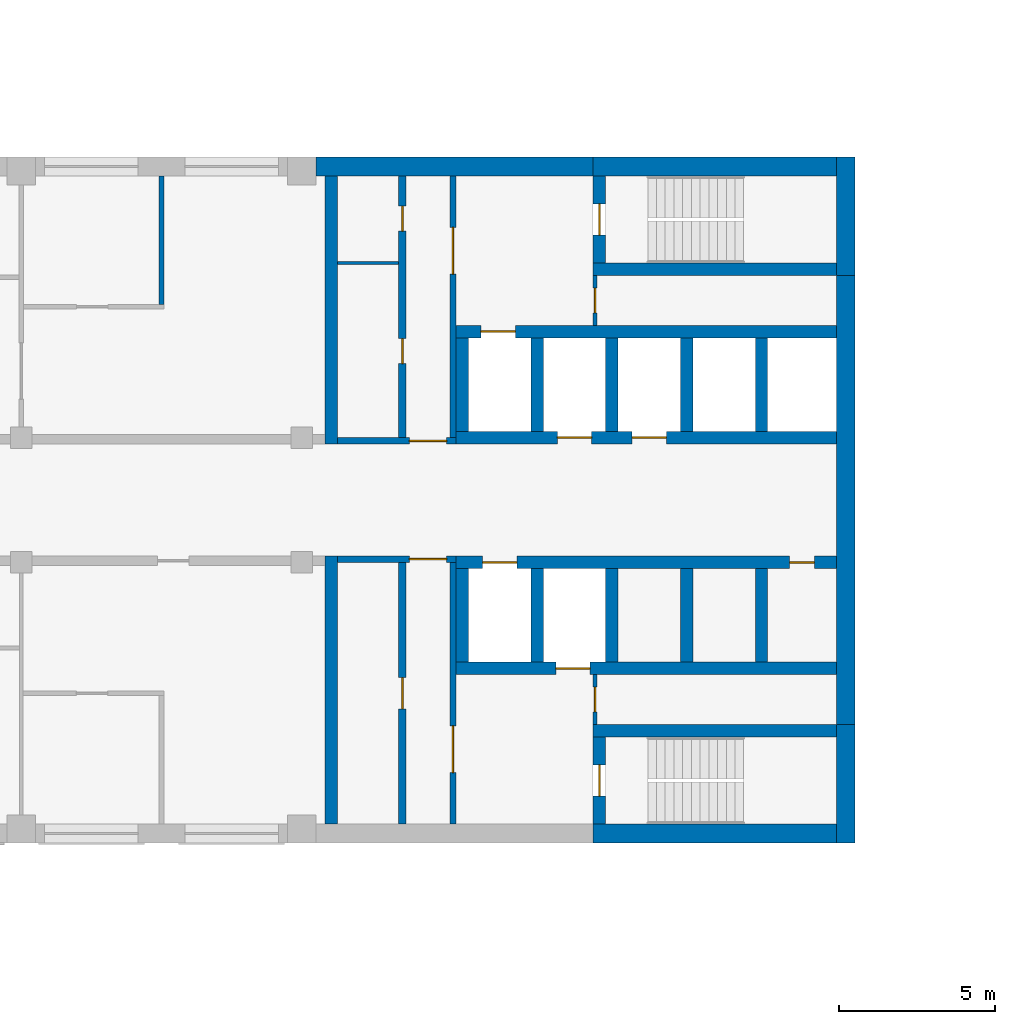
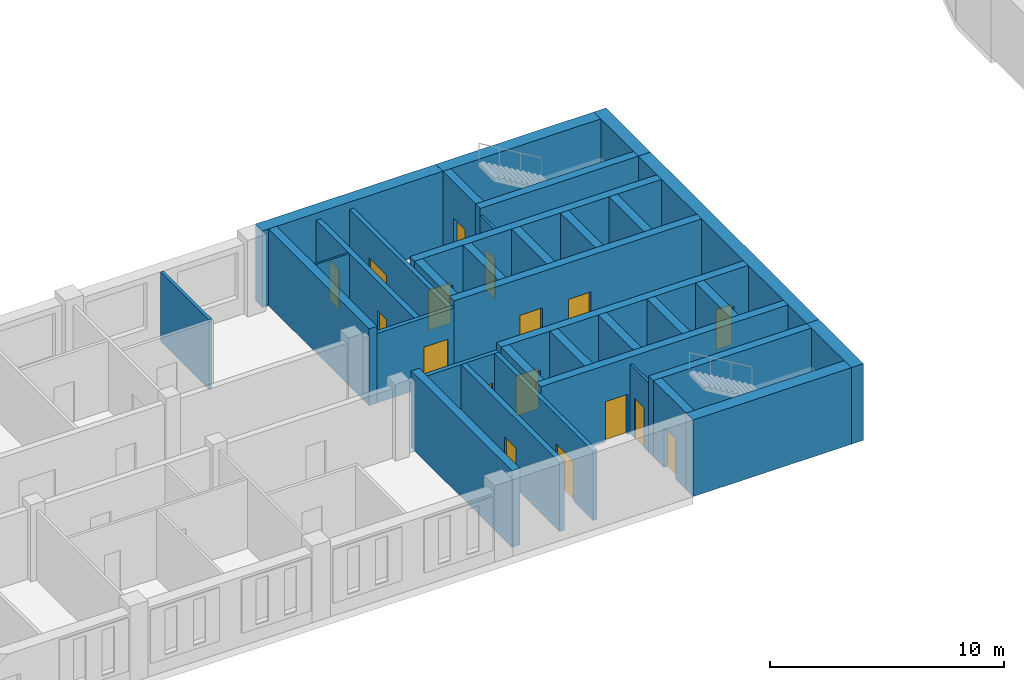
# One storey, part 6 of 16: 36 walls, 17 doors, 17 openings.
"""IFC4 building model written with IfcOpenShell, lengths in metres."""

from ifc_helpers import new_model, si_unit, direction, frame, frame_2d, origin, place, context, subcontext, project, spatial, rectangle, extrude, material, layer, layer_set, type_object, element, fill, save


model = new_model("IFC4")

# Units and contexts
model_context = context("Model", 3, precision=1e-05, world=origin(), true_north=direction((0.0, 1.0)))
body_context = subcontext(model_context, "Body", "Model", "MODEL_VIEW")
ifc_project = project(units=[si_unit("LENGTHUNIT", "METRE"), si_unit("AREAUNIT", "SQUARE_METRE"), si_unit("VOLUMEUNIT", "CUBIC_METRE"), si_unit("PLANEANGLEUNIT", "RADIAN"), si_unit("MASSUNIT", "GRAM", prefix="KILO")], contexts=[model_context])

# Site, building, storey
site_placement = place(None, origin())
site = spatial("IfcSite", under=ifc_project, at=site_placement, CompositionType="ELEMENT")
building_placement = place(site_placement, origin())
building = spatial("IfcBuilding", under=site, at=building_placement, Name="Skarvind Civic Tower", CompositionType="ELEMENT")
storey_placement = place(building_placement, frame((0.0, 0.0, 43.5)))
storey = spatial("IfcBuildingStorey", under=building, at=storey_placement, Name="L09", CompositionType="ELEMENT", Elevation=43.5)

# Wall, opening, door
ifc_material_1 = material(Name="Fire-rated masonry partition", Category="masonry")
ifc_layer_1 = layer(ifc_material_1, 0.199951171875)
ifc_layer_set_1 = layer_set([ifc_layer_1], Name="Core enclosure wall 200")
wall_type_1 = type_object("IfcWallType", Name="Core enclosure wall 200", PredefinedType="PARTITIONING", material=ifc_layer_set_1)
wall_1_placement = place(storey_placement, frame((95.199951171875, 126.10009765625, 0.0), z_axis=(0.0, 0.0, 1.0), x_axis=(-1.0, 0.0, 0.0)))
wall_1 = element("IfcWall", 1, at=wall_1_placement, inside=storey, type_object=wall_type_1, Name="Core wall C1", PredefinedType="PARTITIONING", context=body_context, shape_type="SweptSolid", body=[
    extrude(rectangle(XDim=3.800048828125, YDim=0.199951171875, at=frame_2d((1.89990234375, 0.0))), origin(), (0.0, 0.0, 1.0), 3.625),
])
opening_1_placement = place(wall_1_placement, frame((0.300048828125, 0.0, 0.0)))
opening_1 = element("IfcOpeningElement", 2, at=opening_1_placement, cuts=wall_1, Name="Opening D-L09-C1-05", PredefinedType="OPENING", context=body_context, shape_type="SweptSolid", body=[
    extrude(rectangle(XDim=1.199951171875, YDim=2.10009765625, at=frame_2d((0.60009765625, 1.050048828125))), frame((0.0, 0.10986328125, 0.0), z_axis=(0.0, -1.0, 0.0), x_axis=(1.0, 0.0, 0.0)), (0.0, 0.0, 1.0), 0.219970703125),
])
ifc_material_2 = material(Name="Fire-rated steel door", Category="steel")
door_type_1 = type_object("IfcDoorType", Name="Core lobby door 1200", OperationType="NOTDEFINED", PredefinedType="DOOR", material=ifc_material_2)
door_1_placement = place(opening_1_placement, origin())
door_1 = element("IfcDoor", 3, at=door_1_placement, inside=storey, type_object=door_type_1, Name="Fire door", OperationType="DOUBLE_DOOR_SINGLE_SWING", OverallHeight=2.10009765625, OverallWidth=1.199951171875, PredefinedType="DOOR", context=body_context, shape_type="SweptSolid", body=[
    extrude(rectangle(XDim=1.199951171875, YDim=2.10009765625, at=frame_2d((0.60009765625, 1.050048828125))), frame((0.0, 0.02490234375, 0.0), z_axis=(0.0, -1.0, 0.0), x_axis=(1.0, 0.0, 0.0)), (0.0, 0.0, 1.0), 0.050048828125),
])
fill(opening_1, door_1)

wall_2_placement = place(storey_placement, frame((95.10009765625, 117.60009765625, 0.0), z_axis=(0.0, 0.0, 1.0), x_axis=(0.0, 1.0, 0.0)))
wall_2 = element("IfcWall", 4, at=wall_2_placement, inside=storey, type_object=wall_type_1, Name="Core wall C1", PredefinedType="PARTITIONING", context=body_context, shape_type="SweptSolid", body=[
    extrude(rectangle(XDim=8.39990234375, YDim=0.199951171875, at=frame_2d((4.199951171875, 0.0))), origin(), (0.0, 0.0, 1.0), 3.625),
])
opening_2_placement = place(wall_2_placement, frame((1.64990234375, 0.0, 0.0)))
opening_2 = element("IfcOpeningElement", 5, at=opening_2_placement, cuts=wall_2, Name="Opening D-L09-C1-06", PredefinedType="OPENING", context=body_context, shape_type="SweptSolid", body=[
    extrude(rectangle(XDim=1.5, YDim=2.10009765625, at=frame_2d((0.75, 1.050048828125))), frame((0.0, 0.10986328125, 0.0), z_axis=(0.0, -1.0, 0.0), x_axis=(1.0, 0.0, 0.0)), (0.0, 0.0, 1.0), 0.219970703125),
])
door_type_2 = type_object("IfcDoorType", Name="Fire door 1500", OperationType="NOTDEFINED", PredefinedType="DOOR", material=ifc_material_2)
door_2_placement = place(opening_2_placement, origin())
door_2 = element("IfcDoor", 6, at=door_2_placement, inside=storey, type_object=door_type_2, Name="Fire door", OperationType="DOUBLE_DOOR_SINGLE_SWING", OverallHeight=2.10009765625, OverallWidth=1.5, PredefinedType="DOOR", context=body_context, shape_type="SweptSolid", body=[
    extrude(rectangle(XDim=1.5, YDim=2.10009765625, at=frame_2d((0.75, 1.050048828125))), frame((0.0, 0.02490234375, 0.0), z_axis=(0.0, -1.0, 0.0), x_axis=(1.0, 0.0, 0.0)), (0.0, 0.0, 1.0), 0.050048828125),
])
fill(opening_2, door_2)

wall_3_placement = place(storey_placement, frame((91.39990234375, 129.89990234375, 0.0), z_axis=(0.0, 0.0, 1.0), x_axis=(1.0, 0.0, 0.0)))
wall_3 = element("IfcWall", 7, at=wall_3_placement, inside=storey, type_object=wall_type_1, Name="Core wall C1", PredefinedType="PARTITIONING", context=body_context, shape_type="SweptSolid", body=[
    extrude(rectangle(XDim=3.800048828125, YDim=0.199951171875, at=frame_2d((1.89990234375, 0.0))), origin(), (0.0, 0.0, 1.0), 3.625),
])
opening_3_placement = place(wall_3_placement, frame((2.300048828125, 0.0, 0.0)))
opening_3 = element("IfcOpeningElement", 8, at=opening_3_placement, cuts=wall_3, Name="Opening D-L09-C1-10", PredefinedType="OPENING", context=body_context, shape_type="SweptSolid", body=[
    extrude(rectangle(XDim=1.199951171875, YDim=2.10009765625, at=frame_2d((0.60009765625, 1.050048828125))), frame((0.0, 0.10986328125, 0.0), z_axis=(0.0, -1.0, 0.0), x_axis=(1.0, 0.0, 0.0)), (0.0, 0.0, 1.0), 0.219970703125),
])
door_3_placement = place(opening_3_placement, origin())
door_3 = element("IfcDoor", 9, at=door_3_placement, inside=storey, type_object=door_type_1, Name="Fire door", OperationType="DOUBLE_DOOR_SINGLE_SWING", OverallHeight=2.10009765625, OverallWidth=1.199951171875, PredefinedType="DOOR", context=body_context, shape_type="SweptSolid", body=[
    extrude(rectangle(XDim=1.199951171875, YDim=2.10009765625, at=frame_2d((0.60009765625, 1.050048828125))), frame((0.0, 0.02490234375, 0.0), z_axis=(0.0, -1.0, 0.0), x_axis=(1.0, 0.0, 0.0)), (0.0, 0.0, 1.0), 0.050048828125),
])
fill(opening_3, door_3)

wall_4_placement = place(storey_placement, frame((95.10009765625, 130.0, 0.0), z_axis=(0.0, 0.0, 1.0), x_axis=(0.0, 1.0, 0.0)))
wall_4 = element("IfcWall", 10, at=wall_4_placement, inside=storey, type_object=wall_type_1, Name="Core wall C1", PredefinedType="PARTITIONING", context=body_context, shape_type="SweptSolid", body=[
    extrude(rectangle(XDim=8.39990234375, YDim=0.199951171875, at=frame_2d((4.199951171875, 0.0))), origin(), (0.0, 0.0, 1.0), 3.625),
])
opening_4_placement = place(wall_4_placement, frame((5.25, 0.0, 0.0)))
opening_4 = element("IfcOpeningElement", 11, at=opening_4_placement, cuts=wall_4, Name="Opening D-L09-C1-11", PredefinedType="OPENING", context=body_context, shape_type="SweptSolid", body=[
    extrude(rectangle(XDim=1.5, YDim=2.10009765625, at=frame_2d((0.75, 1.050048828125))), frame((0.0, 0.10986328125, 0.0), z_axis=(0.0, -1.0, 0.0), x_axis=(1.0, 0.0, 0.0)), (0.0, 0.0, 1.0), 0.219970703125),
])
door_4_placement = place(opening_4_placement, origin())
door_4 = element("IfcDoor", 12, at=door_4_placement, inside=storey, type_object=door_type_2, Name="Fire door", OperationType="DOUBLE_DOOR_SINGLE_SWING", OverallHeight=2.10009765625, OverallWidth=1.5, PredefinedType="DOOR", context=body_context, shape_type="SweptSolid", body=[
    extrude(rectangle(XDim=1.5, YDim=2.10009765625, at=frame_2d((0.75, 1.050048828125))), frame((0.0, 0.02490234375, 0.0), z_axis=(0.0, -1.0, 0.0), x_axis=(1.0, 0.0, 0.0)), (0.0, 0.0, 1.0), 0.050048828125),
])
fill(opening_4, door_4)

# Walls
ifc_material_3 = material(Name="Fire-rated plasterboard partition")
ifc_layer_2 = layer(ifc_material_3, 0.10009765625)
ifc_layer_set_2 = layer_set([ifc_layer_2], Name="Core partition wall 100")
wall_type_2 = type_object("IfcWallType", Name="Core partition wall 100", PredefinedType="PARTITIONING", material=ifc_layer_set_2)
wall_5_placement = place(storey_placement, frame((91.39990234375, 135.60009765625, 0.0), z_axis=(0.0, 0.0, 1.0), x_axis=(1.0, 0.0, 0.0)))
element("IfcWall", 13, at=wall_5_placement, inside=storey, type_object=wall_type_2, Name="Core wall C1", PredefinedType="PARTITIONING", context=body_context, shape_type="SweptSolid", body=[
    extrude(rectangle(XDim=1.9501953125, YDim=0.10009765625, at=frame_2d((0.97509765625, 0.0))), origin(), (0.0, 0.0, 1.0), 3.625),
])
ifc_material_4 = material(Name="Concrete C80", Category="concrete")
ifc_layer_3 = layer(ifc_material_4, 0.39990234375)
ifc_layer_set_3 = layer_set([ifc_layer_3], Name="Core wall 400 C80")
wall_type_3 = type_object("IfcWallType", Name="Core wall 400 C80", PredefinedType="SHEAR", material=ifc_layer_set_3)
wall_6_placement = place(storey_placement, frame((107.39990234375, 135.39990234375, 0.0), z_axis=(0.0, 0.0, 1.0), x_axis=(-1.0, 0.0, 0.0)))
element("IfcWall", 14, at=wall_6_placement, inside=storey, type_object=wall_type_3, Name="Core wall C1 south stair inner L09", PredefinedType="SHEAR", context=body_context, shape_type="SweptSolid", body=[
    extrude(rectangle(XDim=7.7998046875, YDim=0.39990234375, at=frame_2d((3.89990234375, 0.0))), origin(), (0.0, 0.0, 1.0), 4.0),
])

# Wall, opening, door
wall_7_placement = place(storey_placement, frame((99.800048828125, 138.39990234375, 0.0), z_axis=(0.0, 0.0, 1.0), x_axis=(0.0, -1.0, 0.0)))
wall_7 = element("IfcWall", 15, at=wall_7_placement, inside=storey, type_object=wall_type_3, Name="Core wall C1 south stair end L09", PredefinedType="SHEAR", context=body_context, shape_type="SweptSolid", body=[
    extrude(rectangle(XDim=2.7998046875, YDim=0.39990234375, at=frame_2d((1.39990234375, 0.0))), origin(), (0.0, 0.0, 1.0), 4.0),
])
opening_5_placement = place(wall_7_placement, frame((0.89990234375, 0.0, 0.0)))
opening_5 = element("IfcOpeningElement", 16, at=opening_5_placement, cuts=wall_7, Name="Opening D-L09-C1-12", PredefinedType="OPENING", context=body_context, shape_type="SweptSolid", body=[
    extrude(rectangle(XDim=1.0, YDim=2.10009765625, at=frame_2d((0.5, 1.050048828125))), frame((0.0, 0.2099609375, 0.0), z_axis=(0.0, -1.0, 0.0), x_axis=(1.0, 0.0, 0.0)), (0.0, 0.0, 1.0), 0.419921875),
])
door_type_3 = type_object("IfcDoorType", Name="Fire door 1000", OperationType="NOTDEFINED", PredefinedType="DOOR", material=ifc_material_2)
door_5_placement = place(opening_5_placement, origin())
door_5 = element("IfcDoor", 17, at=door_5_placement, inside=storey, type_object=door_type_3, Name="Fire door", OperationType="SINGLE_SWING_RIGHT", OverallHeight=2.10009765625, OverallWidth=1.0, PredefinedType="DOOR", context=body_context, shape_type="SweptSolid", body=[
    extrude(rectangle(XDim=1.0, YDim=2.10009765625, at=frame_2d((0.5, 1.050048828125))), frame((0.0, 0.02490234375, 0.0), z_axis=(0.0, -1.0, 0.0), x_axis=(1.0, 0.0, 0.0)), (0.0, 0.0, 1.0), 0.050048828125),
])
fill(opening_5, door_5)

# Wall
wall_8_placement = place(storey_placement, frame((107.39990234375, 120.60009765625, 0.0), z_axis=(0.0, 0.0, 1.0), x_axis=(-1.0, 0.0, 0.0)))
element("IfcWall", 18, at=wall_8_placement, inside=storey, type_object=wall_type_3, Name="Core wall C1 north stair inner L09", PredefinedType="SHEAR", context=body_context, shape_type="SweptSolid", body=[
    extrude(rectangle(XDim=7.7998046875, YDim=0.39990234375, at=frame_2d((3.89990234375, 0.0))), origin(), (0.0, 0.0, 1.0), 4.0),
])

# Wall, opening, door
wall_9_placement = place(storey_placement, frame((99.800048828125, 120.39990234375, 0.0), z_axis=(0.0, 0.0, 1.0), x_axis=(0.0, -1.0, 0.0)))
wall_9 = element("IfcWall", 19, at=wall_9_placement, inside=storey, type_object=wall_type_3, Name="Core wall C1 north stair end L09", PredefinedType="SHEAR", context=body_context, shape_type="SweptSolid", body=[
    extrude(rectangle(XDim=2.7998046875, YDim=0.39990234375, at=frame_2d((1.39990234375, 0.0))), origin(), (0.0, 0.0, 1.0), 4.0),
])
opening_6_placement = place(wall_9_placement, frame((0.89990234375, 0.0, 0.0)))
opening_6 = element("IfcOpeningElement", 20, at=opening_6_placement, cuts=wall_9, Name="Opening D-L09-C1-07", PredefinedType="OPENING", context=body_context, shape_type="SweptSolid", body=[
    extrude(rectangle(XDim=1.0, YDim=2.10009765625, at=frame_2d((0.5, 1.050048828125))), frame((0.0, 0.2099609375, 0.0), z_axis=(0.0, -1.0, 0.0), x_axis=(1.0, 0.0, 0.0)), (0.0, 0.0, 1.0), 0.419921875),
])
door_6_placement = place(opening_6_placement, origin())
door_6 = element("IfcDoor", 21, at=door_6_placement, inside=storey, type_object=door_type_3, Name="Fire door", OperationType="SINGLE_SWING_LEFT", OverallHeight=2.10009765625, OverallWidth=1.0, PredefinedType="DOOR", context=body_context, shape_type="SweptSolid", body=[
    extrude(rectangle(XDim=1.0, YDim=2.10009765625, at=frame_2d((0.5, 1.050048828125))), frame((0.0, 0.02490234375, 0.0), z_axis=(0.0, -1.0, 0.0), x_axis=(1.0, 0.0, 0.0)), (0.0, 0.0, 1.0), 0.050048828125),
])
fill(opening_6, door_6)

# Wall, openings, doors
wall_10_placement = place(storey_placement, frame((107.39990234375, 130.0, 0.0), z_axis=(0.0, 0.0, 1.0), x_axis=(-1.0, 0.0, 0.0)))
wall_10 = element("IfcWall", 22, at=wall_10_placement, inside=storey, type_object=wall_type_3, Name="Core wall C1 south lift row front L09", PredefinedType="SHEAR", context=body_context, shape_type="SweptSolid", body=[
    extrude(rectangle(XDim=12.199951171875, YDim=0.39990234375, at=frame_2d((6.10009765625, 0.0))), origin(), (0.0, 0.0, 1.0), 4.0),
])
opening_7_placement = place(wall_10_placement, frame((5.449951171875, 0.0, 0.0)))
opening_7 = element("IfcOpeningElement", 23, at=opening_7_placement, cuts=wall_10, Name="Opening LD11108", PredefinedType="OPENING", context=body_context, shape_type="SweptSolid", body=[
    extrude(rectangle(XDim=1.10009765625, YDim=2.10009765625, at=frame_2d((0.550048828125, 1.050048828125))), frame((0.0, 0.2099609375, 0.0), z_axis=(0.0, -1.0, 0.0), x_axis=(1.0, 0.0, 0.0)), (0.0, 0.0, 1.0), 0.419921875),
])
opening_8_placement = place(wall_10_placement, frame((7.85009765625, 0.0, 0.0)))
opening_8 = element("IfcOpeningElement", 24, at=opening_8_placement, cuts=wall_10, Name="Opening LD11109", PredefinedType="OPENING", context=body_context, shape_type="SweptSolid", body=[
    extrude(rectangle(XDim=1.10009765625, YDim=2.10009765625, at=frame_2d((0.550048828125, 1.050048828125))), frame((0.0, 0.2099609375, 0.0), z_axis=(0.0, -1.0, 0.0), x_axis=(1.0, 0.0, 0.0)), (0.0, 0.0, 1.0), 0.419921875),
])
ifc_material_5 = material(Name="Stainless steel landing door", Category="steel")
door_type_4 = type_object("IfcDoorType", Name="Lift landing door 1100", OperationType="DOUBLE_DOOR_SLIDING", PredefinedType="DOOR", material=ifc_material_5)
door_7_placement = place(opening_7_placement, origin())
door_7 = element("IfcDoor", 25, at=door_7_placement, inside=storey, type_object=door_type_4, Name="Lift landing door", OperationType="DOUBLE_DOOR_SLIDING", OverallHeight=2.10009765625, OverallWidth=1.10009765625, PredefinedType="DOOR", context=body_context, shape_type="SweptSolid", body=[
    extrude(rectangle(XDim=1.10009765625, YDim=2.10009765625, at=frame_2d((0.550048828125, 1.050048828125))), frame((0.0, 0.02490234375, 0.0), z_axis=(0.0, -1.0, 0.0), x_axis=(1.0, 0.0, 0.0)), (0.0, 0.0, 1.0), 0.050048828125),
])
fill(opening_7, door_7)
door_8_placement = place(opening_8_placement, origin())
door_8 = element("IfcDoor", 26, at=door_8_placement, inside=storey, type_object=door_type_4, Name="Lift landing door", OperationType="DOUBLE_DOOR_SLIDING", OverallHeight=2.10009765625, OverallWidth=1.10009765625, PredefinedType="DOOR", context=body_context, shape_type="SweptSolid", body=[
    extrude(rectangle(XDim=1.10009765625, YDim=2.10009765625, at=frame_2d((0.550048828125, 1.050048828125))), frame((0.0, 0.02490234375, 0.0), z_axis=(0.0, -1.0, 0.0), x_axis=(1.0, 0.0, 0.0)), (0.0, 0.0, 1.0), 0.050048828125),
])
fill(opening_8, door_8)

# Wall, opening, door
wall_11_placement = place(storey_placement, frame((107.39990234375, 133.39990234375, 0.0), z_axis=(0.0, 0.0, 1.0), x_axis=(-1.0, 0.0, 0.0)))
wall_11 = element("IfcWall", 27, at=wall_11_placement, inside=storey, type_object=wall_type_3, Name="Core wall C1 south lift row back L09", PredefinedType="SHEAR", context=body_context, shape_type="SweptSolid", body=[
    extrude(rectangle(XDim=12.199951171875, YDim=0.39990234375, at=frame_2d((6.10009765625, 0.0))), origin(), (0.0, 0.0, 1.0), 4.0),
])
opening_9_placement = place(wall_11_placement, frame((10.300048828125, 0.0, 0.0)))
opening_9 = element("IfcOpeningElement", 28, at=opening_9_placement, cuts=wall_11, Name="Opening LD11110", PredefinedType="OPENING", context=body_context, shape_type="SweptSolid", body=[
    extrude(rectangle(XDim=1.10009765625, YDim=2.10009765625, at=frame_2d((0.550048828125, 1.050048828125))), frame((0.0, 0.2099609375, 0.0), z_axis=(0.0, -1.0, 0.0), x_axis=(1.0, 0.0, 0.0)), (0.0, 0.0, 1.0), 0.419921875),
])
door_9_placement = place(opening_9_placement, origin())
door_9 = element("IfcDoor", 29, at=door_9_placement, inside=storey, type_object=door_type_4, Name="Lift landing door", OperationType="DOUBLE_DOOR_SLIDING", OverallHeight=2.10009765625, OverallWidth=1.10009765625, PredefinedType="DOOR", context=body_context, shape_type="SweptSolid", body=[
    extrude(rectangle(XDim=1.10009765625, YDim=2.10009765625, at=frame_2d((0.550048828125, 1.050048828125))), frame((0.0, 0.02490234375, 0.0), z_axis=(0.0, -1.0, 0.0), x_axis=(1.0, 0.0, 0.0)), (0.0, 0.0, 1.0), 0.050048828125),
])
fill(opening_9, door_9)

# Walls
for number, where, z_axis, x_axis, name in (
    (30, (105.0, 133.199951171875, 0.0), (0.0, 0.0, 1.0), (0.0, -1.0, 0.0), "Core wall C1 south lift row division 1 L09"),
    (31, (102.60009765625, 133.199951171875, 0.0), (0.0, 0.0, 1.0), (0.0, -1.0, 0.0), "Core wall C1 south lift row division 2 L09"),
    (32, (100.199951171875, 133.199951171875, 0.0), (0.0, 0.0, 1.0), (0.0, -1.0, 0.0), "Core wall C1 south lift row division 3 L09"),
    (33, (97.800048828125, 133.199951171875, 0.0), (0.0, 0.0, 1.0), (0.0, -1.0, 0.0), "Core wall C1 south lift row division 4 L09"),
    (34, (95.39990234375, 133.199951171875, 0.0), (0.0, 0.0, 1.0), (0.0, -1.0, 0.0), "Core wall C1 south lift row division 5 L09"),
):
    element("IfcWall", number, at=place(storey_placement, frame(where, z_axis=z_axis, x_axis=x_axis)), inside=storey, type_object=wall_type_3, Name=name, PredefinedType="SHEAR", context=body_context, shape_type="SweptSolid", body=[
        extrude(rectangle(XDim=3.0, YDim=0.39990234375, at=frame_2d((1.5, 0.0))), origin(), (0.0, 0.0, 1.0), 4.0),
    ])

# Wall, openings, doors
wall_12_placement = place(storey_placement, frame((107.39990234375, 126.0, 0.0), z_axis=(0.0, 0.0, 1.0), x_axis=(-1.0, 0.0, 0.0)))
wall_12 = element("IfcWall", 35, at=wall_12_placement, inside=storey, type_object=wall_type_3, Name="Core wall C1 north lift row front L09", PredefinedType="SHEAR", context=body_context, shape_type="SweptSolid", body=[
    extrude(rectangle(XDim=12.199951171875, YDim=0.39990234375, at=frame_2d((6.10009765625, 0.0))), origin(), (0.0, 0.0, 1.0), 4.0),
])
opening_10_placement = place(wall_12_placement, frame((10.25, 0.0, 0.0)))
opening_10 = element("IfcOpeningElement", 36, at=opening_10_placement, cuts=wall_12, Name="Opening LD11105", PredefinedType="OPENING", context=body_context, shape_type="SweptSolid", body=[
    extrude(rectangle(XDim=1.10009765625, YDim=2.10009765625, at=frame_2d((0.550048828125, 1.050048828125))), frame((0.0, 0.2099609375, 0.0), z_axis=(0.0, -1.0, 0.0), x_axis=(1.0, 0.0, 0.0)), (0.0, 0.0, 1.0), 0.419921875),
])
opening_11_placement = place(wall_12_placement, frame((0.699951171875, 0.0, 0.0)))
opening_11 = element("IfcOpeningElement", 37, at=opening_11_placement, cuts=wall_12, Name="Opening D-L09-C1-04", PredefinedType="OPENING", context=body_context, shape_type="SweptSolid", body=[
    extrude(rectangle(XDim=0.800048828125, YDim=2.10009765625, at=frame_2d((0.39990234375, 1.050048828125))), frame((0.0, 0.2099609375, 0.0), z_axis=(0.0, -1.0, 0.0), x_axis=(1.0, 0.0, 0.0)), (0.0, 0.0, 1.0), 0.419921875),
])
door_type_5 = type_object("IfcDoorType", Name="Core riser door 800", OperationType="NOTDEFINED", PredefinedType="DOOR", material=ifc_material_2)
door_10_placement = place(opening_11_placement, origin())
door_10 = element("IfcDoor", 38, at=door_10_placement, inside=storey, type_object=door_type_5, Name="Riser door", OperationType="SINGLE_SWING_LEFT", OverallHeight=2.10009765625, OverallWidth=0.800048828125, PredefinedType="DOOR", context=body_context, shape_type="SweptSolid", body=[
    extrude(rectangle(XDim=0.800048828125, YDim=2.10009765625, at=frame_2d((0.39990234375, 1.050048828125))), frame((0.0, 0.02490234375, 0.0), z_axis=(0.0, -1.0, 0.0), x_axis=(1.0, 0.0, 0.0)), (0.0, 0.0, 1.0), 0.050048828125),
])
fill(opening_11, door_10)
door_11_placement = place(opening_10_placement, origin())
door_11 = element("IfcDoor", 39, at=door_11_placement, inside=storey, type_object=door_type_4, Name="Lift landing door", OperationType="DOUBLE_DOOR_SLIDING", OverallHeight=2.10009765625, OverallWidth=1.10009765625, PredefinedType="DOOR", context=body_context, shape_type="SweptSolid", body=[
    extrude(rectangle(XDim=1.10009765625, YDim=2.10009765625, at=frame_2d((0.550048828125, 1.050048828125))), frame((0.0, 0.02490234375, 0.0), z_axis=(0.0, -1.0, 0.0), x_axis=(1.0, 0.0, 0.0)), (0.0, 0.0, 1.0), 0.050048828125),
])
fill(opening_10, door_11)

# Wall, opening, door
wall_13_placement = place(storey_placement, frame((107.39990234375, 122.60009765625, 0.0), z_axis=(0.0, 0.0, 1.0), x_axis=(-1.0, 0.0, 0.0)))
wall_13 = element("IfcWall", 40, at=wall_13_placement, inside=storey, type_object=wall_type_3, Name="Core wall C1 north lift row back L09", PredefinedType="SHEAR", context=body_context, shape_type="SweptSolid", body=[
    extrude(rectangle(XDim=12.199951171875, YDim=0.39990234375, at=frame_2d((6.10009765625, 0.0))), origin(), (0.0, 0.0, 1.0), 4.0),
])
opening_12_placement = place(wall_13_placement, frame((7.89990234375, 0.0, 0.0)))
opening_12 = element("IfcOpeningElement", 41, at=opening_12_placement, cuts=wall_13, Name="Opening LD11104", PredefinedType="OPENING", context=body_context, shape_type="SweptSolid", body=[
    extrude(rectangle(XDim=1.10009765625, YDim=2.10009765625, at=frame_2d((0.550048828125, 1.050048828125))), frame((0.0, 0.2099609375, 0.0), z_axis=(0.0, -1.0, 0.0), x_axis=(1.0, 0.0, 0.0)), (0.0, 0.0, 1.0), 0.419921875),
])
door_12_placement = place(opening_12_placement, origin())
door_12 = element("IfcDoor", 42, at=door_12_placement, inside=storey, type_object=door_type_4, Name="Lift landing door", OperationType="DOUBLE_DOOR_SLIDING", OverallHeight=2.10009765625, OverallWidth=1.10009765625, PredefinedType="DOOR", context=body_context, shape_type="SweptSolid", body=[
    extrude(rectangle(XDim=1.10009765625, YDim=2.10009765625, at=frame_2d((0.550048828125, 1.050048828125))), frame((0.0, 0.02490234375, 0.0), z_axis=(0.0, -1.0, 0.0), x_axis=(1.0, 0.0, 0.0)), (0.0, 0.0, 1.0), 0.050048828125),
])
fill(opening_12, door_12)

# Walls
for number, where, z_axis, x_axis, name in (
    (43, (105.0, 125.800048828125, 0.0), (0.0, 0.0, 1.0), (0.0, -1.0, 0.0), "Core wall C1 north lift row division 1 L09"),
    (44, (102.60009765625, 125.800048828125, 0.0), (0.0, 0.0, 1.0), (0.0, -1.0, 0.0), "Core wall C1 north lift row division 2 L09"),
    (45, (100.199951171875, 125.800048828125, 0.0), (0.0, 0.0, 1.0), (0.0, -1.0, 0.0), "Core wall C1 north lift row division 3 L09"),
    (46, (97.800048828125, 125.800048828125, 0.0), (0.0, 0.0, 1.0), (0.0, -1.0, 0.0), "Core wall C1 north lift row division 4 L09"),
    (47, (95.39990234375, 125.800048828125, 0.0), (0.0, 0.0, 1.0), (0.0, -1.0, 0.0), "Core wall C1 north lift row division 5 L09"),
):
    element("IfcWall", number, at=place(storey_placement, frame(where, z_axis=z_axis, x_axis=x_axis)), inside=storey, type_object=wall_type_3, Name=name, PredefinedType="SHEAR", context=body_context, shape_type="SweptSolid", body=[
        extrude(rectangle(XDim=3.0, YDim=0.39990234375, at=frame_2d((1.5, 0.0))), origin(), (0.0, 0.0, 1.0), 4.0),
    ])
for number, where, z_axis, x_axis, name in (
    (48, (91.199951171875, 138.39990234375, 0.0), (0.0, 0.0, 1.0), (0.0, -1.0, 0.0), "Core wall C1 south inner face L09"),
    (49, (91.199951171875, 126.199951171875, 0.0), (0.0, 0.0, 1.0), (0.0, -1.0, 0.0), "Core wall C1 north inner face L09"),
):
    element("IfcWall", number, at=place(storey_placement, frame(where, z_axis=z_axis, x_axis=x_axis)), inside=storey, type_object=wall_type_3, Name=name, PredefinedType="SHEAR", context=body_context, shape_type="SweptSolid", body=[
        extrude(rectangle(XDim=8.599853515625, YDim=0.39990234375, at=frame_2d((4.2998046875, 0.0))), origin(), (0.0, 0.0, 1.0), 4.0),
    ])
ifc_layer_4 = layer(ifc_material_4, 0.60009765625)
ifc_layer_set_4 = layer_set([ifc_layer_4], Name="Core wall 600 C80")
wall_type_4 = type_object("IfcWallType", Name="Core wall 600 C80", PredefinedType="SHEAR", material=ifc_layer_set_4)
wall_14_placement = place(storey_placement, frame((107.699951171875, 139.0, 0.0), z_axis=(0.0, 0.0, 1.0), x_axis=(0.0, -1.0, 0.0)))
element("IfcWall", 50, at=wall_14_placement, inside=storey, type_object=wall_type_4, Name="Core wall C1 tip at the south stair L09", PredefinedType="SHEAR", context=body_context, shape_type="SweptSolid", body=[
    extrude(rectangle(XDim=3.800048828125, YDim=0.60009765625, at=frame_2d((1.89990234375, 0.0))), origin(), (0.0, 0.0, 1.0), 4.0),
])
wall_15_placement = place(storey_placement, frame((107.699951171875, 135.199951171875, 0.0), z_axis=(0.0, 0.0, 1.0), x_axis=(0.0, -1.0, 0.0)))
element("IfcWall", 51, at=wall_15_placement, inside=storey, type_object=wall_type_4, Name="Core wall C1 tip between the stairs L09", PredefinedType="SHEAR", context=body_context, shape_type="SweptSolid", body=[
    extrude(rectangle(XDim=14.39990234375, YDim=0.60009765625, at=frame_2d((7.199951171875, 0.0))), origin(), (0.0, 0.0, 1.0), 4.0),
])
wall_16_placement = place(storey_placement, frame((107.699951171875, 120.800048828125, 0.0), z_axis=(0.0, 0.0, 1.0), x_axis=(0.0, -1.0, 0.0)))
element("IfcWall", 52, at=wall_16_placement, inside=storey, type_object=wall_type_4, Name="Core wall C1 tip at the north stair L09", PredefinedType="SHEAR", context=body_context, shape_type="SweptSolid", body=[
    extrude(rectangle(XDim=3.800048828125, YDim=0.60009765625, at=frame_2d((1.89990234375, 0.0))), origin(), (0.0, 0.0, 1.0), 4.0),
])
for number, where, z_axis, x_axis, name in (
    (53, (107.39990234375, 138.699951171875, 0.0), (0.0, 0.0, 1.0), (-1.0, 0.0, 0.0), "Core wall C1 south side at the stair L09"),
    (54, (107.39990234375, 117.300048828125, 0.0), (0.0, 0.0, 1.0), (-1.0, 0.0, 0.0), "Core wall C1 north side at the stair L09"),
):
    element("IfcWall", number, at=place(storey_placement, frame(where, z_axis=z_axis, x_axis=x_axis)), inside=storey, type_object=wall_type_4, Name=name, PredefinedType="SHEAR", context=body_context, shape_type="SweptSolid", body=[
        extrude(rectangle(XDim=7.7998046875, YDim=0.60009765625, at=frame_2d((3.89990234375, 0.0))), origin(), (0.0, 0.0, 1.0), 4.0),
    ])
wall_17_placement = place(storey_placement, frame((99.60009765625, 138.699951171875, 0.0), z_axis=(0.0, 0.0, 1.0), x_axis=(-1.0, 0.0, 0.0)))
element("IfcWall", 55, at=wall_17_placement, inside=storey, type_object=wall_type_4, Name="Core wall C1 south side L09", PredefinedType="SHEAR", context=body_context, shape_type="SweptSolid", body=[
    extrude(rectangle(XDim=8.900146484375, YDim=0.60009765625, at=frame_2d((4.4501953125, 0.0))), origin(), (0.0, 0.0, 1.0), 4.0),
])
ifc_material_6 = material(Name="Plasterboard partition on steel studs", Category="steel")
ifc_layer_5 = layer(ifc_material_6, 0.14990234375)
ifc_layer_set_5 = layer_set([ifc_layer_5], Name="PARTITION 150")
wall_type_5 = type_object("IfcWallType", Name="PARTITION 150", PredefinedType="PARTITIONING", material=ifc_layer_set_5)
wall_18_placement = place(storey_placement, frame((85.75, 134.27490234375, 0.0), z_axis=(0.0, 0.0, 1.0), x_axis=(0.0, 1.0, 0.0)))
element("IfcWall", 56, at=wall_18_placement, inside=storey, type_object=wall_type_5, Name="Partition 09.042", PredefinedType="PARTITIONING", context=body_context, shape_type="SweptSolid", body=[
    extrude(rectangle(XDim=4.125, YDim=0.14990234375, at=frame_2d((2.0625, 0.0))), origin(), (0.0, 0.0, 1.0), 3.625),
])

# Wall, opening, door
ifc_layer_6 = layer(ifc_material_1, 0.125)
ifc_layer_set_6 = layer_set([ifc_layer_6], Name="Riser wall 125")
wall_type_6 = type_object("IfcWallType", Name="Riser wall 125", PredefinedType="PARTITIONING", material=ifc_layer_set_6)
wall_19_placement = place(storey_placement, frame((99.66259765625, 120.800048828125, 0.0), z_axis=(0.0, 0.0, 1.0), x_axis=(0.0, 1.0, 0.0)))
wall_19 = element("IfcWall", 57, at=wall_19_placement, inside=storey, type_object=wall_type_6, Name="Core wall C1", PredefinedType="PARTITIONING", context=body_context, shape_type="SweptSolid", body=[
    extrude(rectangle(XDim=1.599853515625, YDim=0.125, at=frame_2d((0.7998046875, 0.0))), origin(), (0.0, 0.0, 1.0), 3.625),
])
opening_13_placement = place(wall_19_placement, frame((0.39990234375, 0.0, 0.0)))
opening_13 = element("IfcOpeningElement", 58, at=opening_13_placement, cuts=wall_19, Name="Opening D-L09-C1-08", PredefinedType="OPENING", context=body_context, shape_type="SweptSolid", body=[
    extrude(rectangle(XDim=0.800048828125, YDim=2.10009765625, at=frame_2d((0.39990234375, 1.050048828125))), frame((0.0, 0.072509765625, 0.0), z_axis=(0.0, -1.0, 0.0), x_axis=(1.0, 0.0, 0.0)), (0.0, 0.0, 1.0), 0.14501953125),
])
door_13_placement = place(opening_13_placement, origin())
door_13 = element("IfcDoor", 59, at=door_13_placement, inside=storey, type_object=door_type_5, Name="Riser door", OperationType="SINGLE_SWING_RIGHT", OverallHeight=2.10009765625, OverallWidth=0.800048828125, PredefinedType="DOOR", context=body_context, shape_type="SweptSolid", body=[
    extrude(rectangle(XDim=0.800048828125, YDim=2.10009765625, at=frame_2d((0.39990234375, 1.050048828125))), frame((0.0, 0.02490234375, 0.0), z_axis=(0.0, -1.0, 0.0), x_axis=(1.0, 0.0, 0.0)), (0.0, 0.0, 1.0), 0.050048828125),
])
fill(opening_13, door_13)

wall_20_placement = place(storey_placement, frame((99.66259765625, 133.60009765625, 0.0), z_axis=(0.0, 0.0, 1.0), x_axis=(0.0, 1.0, 0.0)))
wall_20 = element("IfcWall", 60, at=wall_20_placement, inside=storey, type_object=wall_type_6, Name="Core wall C1", PredefinedType="PARTITIONING", context=body_context, shape_type="SweptSolid", body=[
    extrude(rectangle(XDim=1.599853515625, YDim=0.125, at=frame_2d((0.7998046875, 0.0))), origin(), (0.0, 0.0, 1.0), 3.625),
])
opening_14_placement = place(wall_20_placement, frame((0.39990234375, 0.0, 0.0)))
opening_14 = element("IfcOpeningElement", 61, at=opening_14_placement, cuts=wall_20, Name="Opening D-L09-C1-13", PredefinedType="OPENING", context=body_context, shape_type="SweptSolid", body=[
    extrude(rectangle(XDim=0.800048828125, YDim=2.10009765625, at=frame_2d((0.39990234375, 1.050048828125))), frame((0.0, 0.072509765625, 0.0), z_axis=(0.0, -1.0, 0.0), x_axis=(1.0, 0.0, 0.0)), (0.0, 0.0, 1.0), 0.14501953125),
])
door_14_placement = place(opening_14_placement, origin())
door_14 = element("IfcDoor", 62, at=door_14_placement, inside=storey, type_object=door_type_5, Name="Riser door", OperationType="SINGLE_SWING_LEFT", OverallHeight=2.10009765625, OverallWidth=0.800048828125, PredefinedType="DOOR", context=body_context, shape_type="SweptSolid", body=[
    extrude(rectangle(XDim=0.800048828125, YDim=2.10009765625, at=frame_2d((0.39990234375, 1.050048828125))), frame((0.0, 0.02490234375, 0.0), z_axis=(0.0, -1.0, 0.0), x_axis=(1.0, 0.0, 0.0)), (0.0, 0.0, 1.0), 0.050048828125),
])
fill(opening_14, door_14)

ifc_layer_7 = layer(ifc_material_1, 0.25)
ifc_layer_set_7 = layer_set([ifc_layer_7], Name="Service block wall 250")
wall_type_7 = type_object("IfcWallType", Name="Service block wall 250", PredefinedType="PARTITIONING", material=ifc_layer_set_7)
wall_21_placement = place(storey_placement, frame((93.47509765625, 117.60009765625, 0.0), z_axis=(0.0, 0.0, 1.0), x_axis=(0.0, 1.0, 0.0)))
wall_21 = element("IfcWall", 63, at=wall_21_placement, inside=storey, type_object=wall_type_7, Name="Core wall C1", PredefinedType="PARTITIONING", context=body_context, shape_type="SweptSolid", body=[
    extrude(rectangle(XDim=8.39990234375, YDim=0.25, at=frame_2d((4.199951171875, 0.0))), origin(), (0.0, 0.0, 1.0), 3.625),
])
opening_15_placement = place(wall_21_placement, frame((3.699951171875, 0.0, 0.0)))
opening_15 = element("IfcOpeningElement", 64, at=opening_15_placement, cuts=wall_21, Name="Opening D-L09-C1-09", PredefinedType="OPENING", context=body_context, shape_type="SweptSolid", body=[
    extrude(rectangle(XDim=1.0, YDim=2.10009765625, at=frame_2d((0.5, 1.050048828125))), frame((0.0, 0.135009765625, 0.0), z_axis=(0.0, -1.0, 0.0), x_axis=(1.0, 0.0, 0.0)), (0.0, 0.0, 1.0), 0.27001953125),
])
door_15_placement = place(opening_15_placement, origin())
door_15 = element("IfcDoor", 65, at=door_15_placement, inside=storey, type_object=door_type_3, Name="Fire door", OperationType="SINGLE_SWING_LEFT", OverallHeight=2.10009765625, OverallWidth=1.0, PredefinedType="DOOR", context=body_context, shape_type="SweptSolid", body=[
    extrude(rectangle(XDim=1.0, YDim=2.10009765625, at=frame_2d((0.5, 1.050048828125))), frame((0.0, 0.02490234375, 0.0), z_axis=(0.0, -1.0, 0.0), x_axis=(1.0, 0.0, 0.0)), (0.0, 0.0, 1.0), 0.050048828125),
])
fill(opening_15, door_15)

# Wall, openings, doors
wall_22_placement = place(storey_placement, frame((93.47509765625, 130.0, 0.0), z_axis=(0.0, 0.0, 1.0), x_axis=(0.0, 1.0, 0.0)))
wall_22 = element("IfcWall", 66, at=wall_22_placement, inside=storey, type_object=wall_type_7, Name="Core wall C1", PredefinedType="PARTITIONING", context=body_context, shape_type="SweptSolid", body=[
    extrude(rectangle(XDim=8.39990234375, YDim=0.25, at=frame_2d((4.199951171875, 0.0))), origin(), (0.0, 0.0, 1.0), 3.625),
])
opening_16_placement = place(wall_22_placement, frame((2.375, 0.0, 0.0)))
opening_16 = element("IfcOpeningElement", 67, at=opening_16_placement, cuts=wall_22, Name="Opening D-L09-C1-14", PredefinedType="OPENING", context=body_context, shape_type="SweptSolid", body=[
    extrude(rectangle(XDim=0.800048828125, YDim=2.10009765625, at=frame_2d((0.39990234375, 1.050048828125))), frame((0.0, 0.135009765625, 0.0), z_axis=(0.0, -1.0, 0.0), x_axis=(1.0, 0.0, 0.0)), (0.0, 0.0, 1.0), 0.27001953125),
])
opening_17_placement = place(wall_22_placement, frame((6.625, 0.0, 0.0)))
opening_17 = element("IfcOpeningElement", 68, at=opening_17_placement, cuts=wall_22, Name="Opening D-L09-C1-15", PredefinedType="OPENING", context=body_context, shape_type="SweptSolid", body=[
    extrude(rectangle(XDim=0.800048828125, YDim=2.10009765625, at=frame_2d((0.39990234375, 1.050048828125))), frame((0.0, 0.135009765625, 0.0), z_axis=(0.0, -1.0, 0.0), x_axis=(1.0, 0.0, 0.0)), (0.0, 0.0, 1.0), 0.27001953125),
])
door_16_placement = place(opening_16_placement, origin())
door_16 = element("IfcDoor", 69, at=door_16_placement, inside=storey, type_object=door_type_5, Name="Riser door", OperationType="SINGLE_SWING_RIGHT", OverallHeight=2.10009765625, OverallWidth=0.800048828125, PredefinedType="DOOR", context=body_context, shape_type="SweptSolid", body=[
    extrude(rectangle(XDim=0.800048828125, YDim=2.10009765625, at=frame_2d((0.39990234375, 1.050048828125))), frame((0.0, 0.02490234375, 0.0), z_axis=(0.0, -1.0, 0.0), x_axis=(1.0, 0.0, 0.0)), (0.0, 0.0, 1.0), 0.050048828125),
])
fill(opening_16, door_16)
door_17_placement = place(opening_17_placement, origin())
door_17 = element("IfcDoor", 70, at=door_17_placement, inside=storey, type_object=door_type_5, Name="Riser door", OperationType="SINGLE_SWING_LEFT", OverallHeight=2.10009765625, OverallWidth=0.800048828125, PredefinedType="DOOR", context=body_context, shape_type="SweptSolid", body=[
    extrude(rectangle(XDim=0.800048828125, YDim=2.10009765625, at=frame_2d((0.39990234375, 1.050048828125))), frame((0.0, 0.02490234375, 0.0), z_axis=(0.0, -1.0, 0.0), x_axis=(1.0, 0.0, 0.0)), (0.0, 0.0, 1.0), 0.050048828125),
])
fill(opening_17, door_17)

save(model, "model.ifc")
